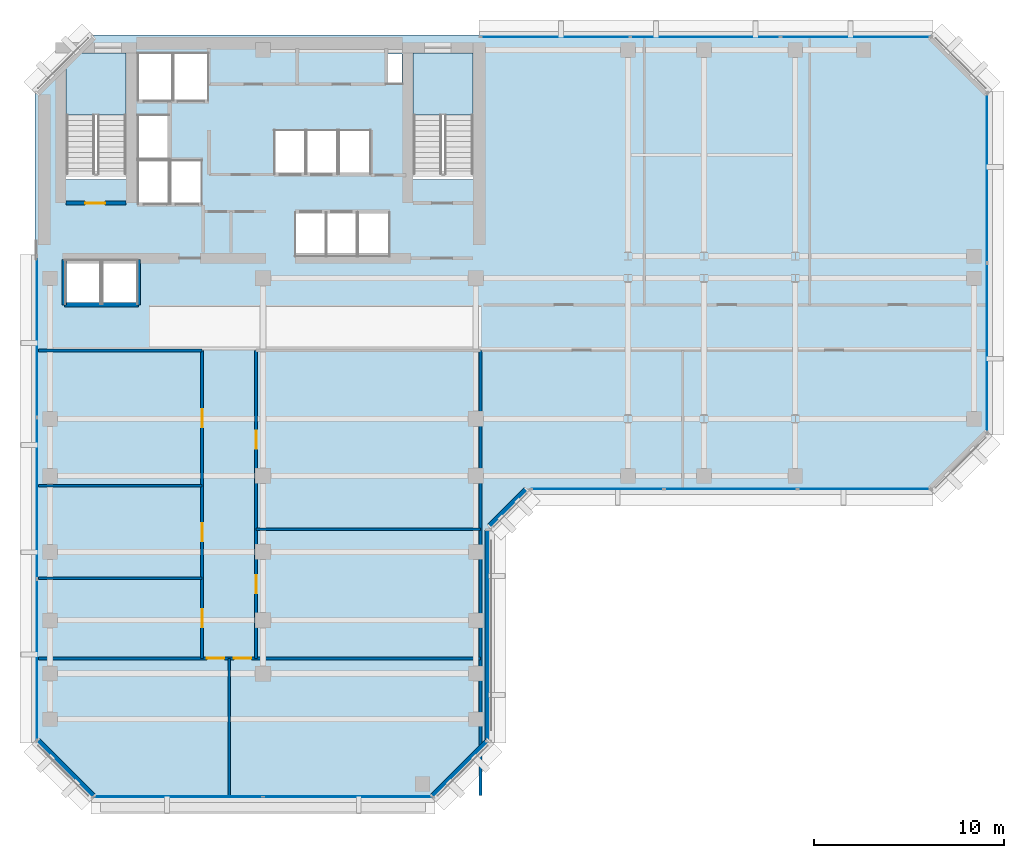
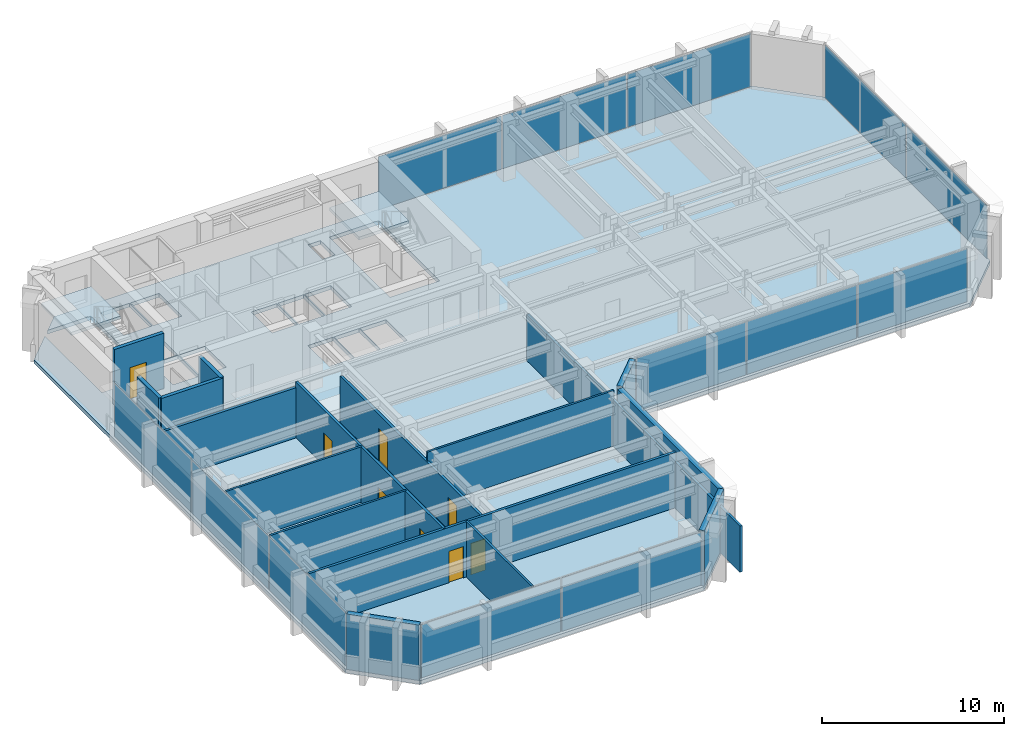
# One storey, part 6 of 12: 17 walls, 13 plates, 8 doors, 3 slabs, 8 openings, 7 elements without a shape of their own.
"""IFC4 building model written with IfcOpenShell, lengths in metres."""

from ifc_helpers import new_model, si_unit, direction, frame, frame_2d, origin, origin_2d, place, context, subcontext, project, spatial, polyline, rectangle, outline, extrude, material, layer, layer_set, type_object, element, fill, aggregate, save


model = new_model("IFC4")

# Units and contexts
model_context = context("Model", 3, precision=1e-05, world=origin(), true_north=direction((0.0, 1.0)))
body_context = subcontext(model_context, "Body", "Model", "MODEL_VIEW")
ifc_project = project(units=[si_unit("LENGTHUNIT", "METRE"), si_unit("AREAUNIT", "SQUARE_METRE"), si_unit("VOLUMEUNIT", "CUBIC_METRE"), si_unit("PLANEANGLEUNIT", "RADIAN"), si_unit("MASSUNIT", "GRAM", prefix="KILO")], contexts=[model_context])

# Site, building, storey
site_placement = place(None, origin())
site = spatial("IfcSite", under=ifc_project, at=site_placement, CompositionType="ELEMENT")
building_placement = place(site_placement, origin())
building = spatial("IfcBuilding", under=site, at=building_placement, Name="Kefirva Bronze Tower", CompositionType="ELEMENT")
storey_placement = place(building_placement, frame((0.0, 0.0, 207.239990234375)))
storey = spatial("IfcBuildingStorey", under=building, at=storey_placement, Name="L50", CompositionType="ELEMENT", Elevation=207.239990234375)

# Stair, slab
ifc_material_1 = material(Name="Concrete C40/50", Category="concrete")
stair_type = type_object("IfcStairType", Name="RC Dogleg Protected Stair 24R", PredefinedType="HALF_TURN_STAIR", material=ifc_material_1)
stair_1_placement = place(storey_placement, origin())
stair_1 = element("IfcStair", 1, at=stair_1_placement, inside=storey, type_object=stair_type, Name="L50 Protected Exit Stair 1", PredefinedType="HALF_TURN_STAIR")
ifc_layer_1 = layer(ifc_material_1, 0.199951171875, Name="Concrete C40/50")
ifc_layer_set_1 = layer_set([ifc_layer_1], Name="Concrete C40/50")
slab_type_1 = type_object("IfcSlabType", Name="RC Stair Landing Slab 200mm", PredefinedType="LANDING", material=ifc_layer_set_1)
slab_1_placement = place(storey_placement, frame((0.0, 0.0, 1.780029296875)))
slab_1 = element("IfcSlab", 2, at=slab_1_placement, type_object=slab_type_1, Name="ST-1 landing 1", PredefinedType="LANDING", context=body_context, shape_type="SweptSolid", body=[
    extrude(outline(polyline([(4.800048828125, 41.780029296875), (4.800048828125, 45.050048828125), (1.64990234375, 45.050048828125), (1.64990234375, 41.780029296875), (4.800048828125, 41.780029296875)])), origin(), (0.0, 0.0, 1.0), 0.199951171875),
])
aggregate(stair_1, [slab_1])

stair_2_placement = place(storey_placement, origin())
stair_2 = element("IfcStair", 3, at=stair_2_placement, inside=storey, type_object=stair_type, Name="L50 Protected Exit Stair 2", PredefinedType="HALF_TURN_STAIR")
slab_2_placement = place(storey_placement, frame((0.0, 0.0, 1.780029296875)))
slab_2 = element("IfcSlab", 4, at=slab_2_placement, type_object=slab_type_1, Name="ST-2 landing 1", PredefinedType="LANDING", context=body_context, shape_type="SweptSolid", body=[
    extrude(outline(polyline([(23.050048828125, 41.780029296875), (23.050048828125, 45.050048828125), (19.89990234375, 45.050048828125), (19.89990234375, 41.780029296875), (23.050048828125, 41.780029296875)])), origin(), (0.0, 0.0, 1.0), 0.199951171875),
])
aggregate(stair_2, [slab_2])

# Slab
ifc_layer_2 = layer(ifc_material_1, 0.25, Name="Concrete C40/50")
ifc_layer_set_2 = layer_set([ifc_layer_2], Name="Concrete C40/50")
slab_type_2 = type_object("IfcSlabType", Name="RC Tower Floor Slab 250mm", PredefinedType="FLOOR", material=ifc_layer_set_2)
slab_3_placement = place(storey_placement, frame((0.0, 0.0, -0.25)))
element("IfcSlab", 5, at=slab_3_placement, inside=storey, type_object=slab_type_2, Name="L50 Structural Floor Slab", PredefinedType="FLOOR", context=body_context, shape_type="SweptSolid", body=[
    extrude(outline(polyline([(0.0, 8.800048828125), (0.0, 43.0), (1.64990234375, 44.64990234375), (1.64990234375, 38.39990234375), (4.800048828125, 38.39990234375), (4.800048828125, 45.050048828125), (2.050048828125, 45.050048828125), (3.0, 46.0), (47.199951171875, 46.0), (50.199951171875, 43.0), (50.199951171875, 25.0), (47.199951171875, 22.0), (26.0, 22.0), (24.0, 20.0), (24.0, 8.800048828125), (21.0, 5.800048828125), (3.0, 5.800048828125), (0.0, 8.800048828125)]), holes=[polyline([(23.050048828125, 38.39990234375), (23.050048828125, 45.050048828125), (19.89990234375, 45.050048828125), (19.89990234375, 38.39990234375), (23.050048828125, 38.39990234375)]), polyline([(19.320068359375, 43.419921875), (19.320068359375, 45.0), (18.52001953125, 45.0), (18.52001953125, 43.419921875), (19.320068359375, 43.419921875)]), polyline([(18.64990234375, 34.35009765625), (18.64990234375, 36.64990234375), (17.0, 36.64990234375), (17.0, 34.35009765625), (18.64990234375, 34.35009765625)]), polyline([(17.64990234375, 38.679931640625), (17.64990234375, 40.97998046875), (16.0, 40.97998046875), (16.0, 38.679931640625), (17.64990234375, 38.679931640625)]), polyline([(16.949951171875, 34.35009765625), (16.949951171875, 36.64990234375), (15.35009765625, 36.64990234375), (15.35009765625, 34.35009765625), (16.949951171875, 34.35009765625)]), polyline([(15.929931640625, 38.679931640625), (15.929931640625, 40.97998046875), (14.300048828125, 40.97998046875), (14.300048828125, 38.679931640625), (15.929931640625, 38.679931640625)]), polyline([(15.300048828125, 34.35009765625), (15.300048828125, 36.64990234375), (13.699951171875, 36.64990234375), (13.699951171875, 34.35009765625), (15.300048828125, 34.35009765625)]), polyline([(14.22998046875, 38.679931640625), (14.22998046875, 40.97998046875), (12.60009765625, 40.97998046875), (12.60009765625, 38.679931640625), (14.22998046875, 38.679931640625)]), polyline([(9.1201171875, 42.550048828125), (9.1201171875, 45.050048828125), (7.300048828125, 45.050048828125), (7.300048828125, 42.550048828125), (9.1201171875, 42.550048828125)]), polyline([(8.780029296875, 37.10009765625), (8.780029296875, 39.39990234375), (7.139892578125, 39.39990234375), (7.139892578125, 37.10009765625), (8.780029296875, 37.10009765625)]), polyline([(7.239990234375, 42.550048828125), (7.239990234375, 45.050048828125), (5.419921875, 45.050048828125), (5.419921875, 42.550048828125), (7.239990234375, 42.550048828125)]), polyline([(7.06005859375, 37.10009765625), (7.06005859375, 39.39990234375), (5.419921875, 39.39990234375), (5.419921875, 37.10009765625), (7.06005859375, 37.10009765625)]), polyline([(7.06005859375, 39.47998046875), (7.06005859375, 41.780029296875), (5.419921875, 41.780029296875), (5.419921875, 39.47998046875), (7.06005859375, 39.47998046875)]), polyline([(5.39990234375, 31.85009765625), (5.39990234375, 34.14990234375), (3.550048828125, 34.14990234375), (3.550048828125, 31.85009765625), (5.39990234375, 31.85009765625)]), polyline([(3.449951171875, 31.85009765625), (3.449951171875, 34.14990234375), (1.60009765625, 34.14990234375), (1.60009765625, 31.85009765625), (3.449951171875, 31.85009765625)])]), origin(), (0.0, 0.0, 1.0), 0.25),
])

# Curtain wall, plates
ifc_material_2 = material(Name="Bronze anodised aluminium", Category="aluminium")
ifc_layer_3 = layer(ifc_material_2, 0.179931640625, Name="Bronze anodised aluminium")
ifc_layer_set_3 = layer_set([ifc_layer_3], Name="Bronze anodised aluminium")
curtain_wall_type = type_object("IfcCurtainWallType", Name="Unitised Bronze Ribbon Curtain Wall Zone 3", PredefinedType="USERDEFINED", material=ifc_layer_set_3)
curtain_wall_1_placement = place(storey_placement, origin())
curtain_wall_1 = element("IfcCurtainWall", 6, at=curtain_wall_1_placement, inside=storey, type_object=curtain_wall_type, Name="L50 Curtain Wall 1", ObjectType="UNITISED CURTAIN WALL", PredefinedType="USERDEFINED")
ifc_material_3 = material(Name="Laminated low-E double glazing", Category="glass")
ifc_layer_4 = layer(ifc_material_3, 0.031982421875, Name="Laminated low-E double glazing")
ifc_layer_set_4 = layer_set([ifc_layer_4], Name="Laminated low-E double glazing")
plate_type = type_object("IfcPlateType", Name="Solar-Control Low-E Vision Panel 32mm", PredefinedType="CURTAIN_PANEL", material=ifc_layer_set_4)
plate_1_placement = place(storey_placement, frame((7.546142578125, 5.919921875, 0.074951171875), z_axis=(0.0, 0.0, 1.0), x_axis=(1.0, 0.0, 0.0)))
plate_1 = element("IfcPlate", 7, at=plate_1_placement, type_object=plate_type, Name="CW-03 panel 1.1", PredefinedType="CURTAIN_PANEL", context=body_context, shape_type="SweptSolid", body=[
    extrude(rectangle(XDim=8.83251953125, YDim=0.031982421875, at=origin_2d()), origin(), (0.0, 0.0, 1.0), 3.56005859375),
])
plate_2_placement = place(storey_placement, frame((16.453857421875, 5.919921875, 0.074951171875), z_axis=(0.0, 0.0, 1.0), x_axis=(1.0, 0.0, 0.0)))
plate_2 = element("IfcPlate", 8, at=plate_2_placement, type_object=plate_type, Name="CW-03 panel 2.1", PredefinedType="CURTAIN_PANEL", context=body_context, shape_type="SweptSolid", body=[
    extrude(rectangle(XDim=8.83251953125, YDim=0.031982421875, at=origin_2d()), origin(), (0.0, 0.0, 1.0), 3.56005859375),
])
aggregate(curtain_wall_1, [plate_1, plate_2])

curtain_wall_2_placement = place(storey_placement, origin())
curtain_wall_2 = element("IfcCurtainWall", 9, at=curtain_wall_2_placement, inside=storey, type_object=curtain_wall_type, Name="L50 Curtain Wall 2", ObjectType="UNITISED CURTAIN WALL", PredefinedType="USERDEFINED")
plate_3_placement = place(storey_placement, frame((29.5888671875, 22.1201171875, 0.074951171875), z_axis=(0.0, 0.0, 1.0), x_axis=(1.0, 0.0, 0.0)))
plate_3 = element("IfcPlate", 10, at=plate_3_placement, type_object=plate_type, Name="CW-03 panel 1.1", PredefinedType="CURTAIN_PANEL", context=body_context, shape_type="SweptSolid", body=[
    extrude(rectangle(XDim=6.91748046875, YDim=0.031982421875, at=origin_2d()), origin(), (0.0, 0.0, 1.0), 3.56005859375),
])
plate_4_placement = place(storey_placement, frame((36.60009765625, 22.1201171875, 0.074951171875), z_axis=(0.0, 0.0, 1.0), x_axis=(1.0, 0.0, 0.0)))
plate_4 = element("IfcPlate", 11, at=plate_4_placement, type_object=plate_type, Name="CW-03 panel 2.1", PredefinedType="CURTAIN_PANEL", context=body_context, shape_type="SweptSolid", body=[
    extrude(rectangle(XDim=6.955078125, YDim=0.031982421875, at=origin_2d()), origin(), (0.0, 0.0, 1.0), 3.56005859375),
])
plate_5_placement = place(storey_placement, frame((43.611328125, 22.1201171875, 0.074951171875), z_axis=(0.0, 0.0, 1.0), x_axis=(1.0, 0.0, 0.0)))
plate_5 = element("IfcPlate", 12, at=plate_5_placement, type_object=plate_type, Name="CW-03 panel 3.1", PredefinedType="CURTAIN_PANEL", context=body_context, shape_type="SweptSolid", body=[
    extrude(rectangle(XDim=6.91748046875, YDim=0.031982421875, at=origin_2d()), origin(), (0.0, 0.0, 1.0), 3.56005859375),
])
aggregate(curtain_wall_2, [plate_3, plate_4, plate_5])

curtain_wall_3_placement = place(storey_placement, origin())
curtain_wall_3 = element("IfcCurtainWall", 13, at=curtain_wall_3_placement, inside=storey, type_object=curtain_wall_type, Name="L50 Curtain Wall 3", ObjectType="UNITISED CURTAIN WALL", PredefinedType="USERDEFINED")
plate_6_placement = place(storey_placement, frame((50.080078125, 29.546142578125, 0.074951171875), z_axis=(0.0, 0.0, 1.0), x_axis=(0.0, 1.0, 0.0)))
plate_6 = element("IfcPlate", 14, at=plate_6_placement, type_object=plate_type, Name="CW-03 panel 1.1", PredefinedType="CURTAIN_PANEL", context=body_context, shape_type="SweptSolid", body=[
    extrude(rectangle(XDim=8.83251953125, YDim=0.031982421875, at=origin_2d()), origin(), (0.0, 0.0, 1.0), 3.56005859375),
])
plate_7_placement = place(storey_placement, frame((50.080078125, 38.453857421875, 0.074951171875), z_axis=(0.0, 0.0, 1.0), x_axis=(0.0, 1.0, 0.0)))
plate_7 = element("IfcPlate", 15, at=plate_7_placement, type_object=plate_type, Name="CW-03 panel 2.1", PredefinedType="CURTAIN_PANEL", context=body_context, shape_type="SweptSolid", body=[
    extrude(rectangle(XDim=8.83251953125, YDim=0.031982421875, at=origin_2d()), origin(), (0.0, 0.0, 1.0), 3.56005859375),
])
aggregate(curtain_wall_3, [plate_6, plate_7])

curtain_wall_4_placement = place(storey_placement, origin())
curtain_wall_4 = element("IfcCurtainWall", 16, at=curtain_wall_4_placement, inside=storey, type_object=curtain_wall_type, Name="L50 Curtain Wall 4", ObjectType="UNITISED CURTAIN WALL", PredefinedType="USERDEFINED")
plate_8_placement = place(storey_placement, frame((43.169677734375, 45.8798828125, 0.074951171875), z_axis=(0.0, 0.0, 1.0), x_axis=(-1.0, 0.0, 0.0)))
plate_8 = element("IfcPlate", 17, at=plate_8_placement, type_object=plate_type, Name="CW-03 panel 1.1", PredefinedType="CURTAIN_PANEL", context=body_context, shape_type="SweptSolid", body=[
    extrude(rectangle(XDim=7.80078125, YDim=0.031982421875, at=origin_2d()), origin(), (0.0, 0.0, 1.0), 3.56005859375),
])
plate_9_placement = place(storey_placement, frame((35.27490234375, 45.8798828125, 0.074951171875), z_axis=(0.0, 0.0, 1.0), x_axis=(-1.0, 0.0, 0.0)))
plate_9 = element("IfcPlate", 18, at=plate_9_placement, type_object=plate_type, Name="CW-03 panel 2.1", PredefinedType="CURTAIN_PANEL", context=body_context, shape_type="SweptSolid", body=[
    extrude(rectangle(XDim=7.83837890625, YDim=0.031982421875, at=origin_2d()), origin(), (0.0, 0.0, 1.0), 3.56005859375),
])
plate_10_placement = place(storey_placement, frame((27.38037109375, 45.8798828125, 0.074951171875), z_axis=(0.0, 0.0, 1.0), x_axis=(-1.0, 0.0, 0.0)))
plate_10 = element("IfcPlate", 19, at=plate_10_placement, type_object=plate_type, Name="CW-03 panel 3.1", PredefinedType="CURTAIN_PANEL", context=body_context, shape_type="SweptSolid", body=[
    extrude(rectangle(XDim=7.80078125, YDim=0.031982421875, at=origin_2d()), origin(), (0.0, 0.0, 1.0), 3.56005859375),
])
aggregate(curtain_wall_4, [plate_8, plate_9, plate_10])

curtain_wall_5_placement = place(storey_placement, origin())
curtain_wall_5 = element("IfcCurtainWall", 20, at=curtain_wall_5_placement, inside=storey, type_object=curtain_wall_type, Name="L50 Curtain Wall 5", ObjectType="UNITISED CURTAIN WALL", PredefinedType="USERDEFINED")
plate_11_placement = place(storey_placement, frame((0.1201171875, 30.11962890625, 0.074951171875), z_axis=(0.0, 0.0, 1.0), x_axis=(0.0, -1.0, 0.0)))
plate_11 = element("IfcPlate", 21, at=plate_11_placement, type_object=plate_type, Name="CW-03 panel 1.1", PredefinedType="CURTAIN_PANEL", context=body_context, shape_type="SweptSolid", body=[
    extrude(rectangle(XDim=8.40087890625, YDim=0.031982421875, at=origin_2d()), origin(), (0.0, 0.0, 1.0), 3.56005859375),
])
plate_12_placement = place(storey_placement, frame((0.1201171875, 21.625, 0.074951171875), z_axis=(0.0, 0.0, 1.0), x_axis=(0.0, -1.0, 0.0)))
plate_12 = element("IfcPlate", 22, at=plate_12_placement, type_object=plate_type, Name="CW-03 panel 2.1", PredefinedType="CURTAIN_PANEL", context=body_context, shape_type="SweptSolid", body=[
    extrude(rectangle(XDim=8.438232421875, YDim=0.031982421875, at=origin_2d()), origin(), (0.0, 0.0, 1.0), 3.56005859375),
])
plate_13_placement = place(storey_placement, frame((0.1201171875, 13.13037109375, 0.074951171875), z_axis=(0.0, 0.0, 1.0), x_axis=(0.0, -1.0, 0.0)))
plate_13 = element("IfcPlate", 23, at=plate_13_placement, type_object=plate_type, Name="CW-03 panel 3.1", PredefinedType="CURTAIN_PANEL", context=body_context, shape_type="SweptSolid", body=[
    extrude(rectangle(XDim=8.40087890625, YDim=0.031982421875, at=origin_2d()), origin(), (0.0, 0.0, 1.0), 3.56005859375),
])
aggregate(curtain_wall_5, [plate_11, plate_12, plate_13])

# Walls
ifc_material_4 = material(Name="Gypsum acoustic partition")
ifc_layer_5 = layer(ifc_material_4, 0.1298828125, Name="Gypsum acoustic partition")
ifc_layer_set_5 = layer_set([ifc_layer_5], Name="Gypsum acoustic partition")
wall_type_1 = type_object("IfcWallType", Name="Acoustic Office Partition 130mm", PredefinedType="PARTITIONING", material=ifc_layer_set_5)
wall_1_placement = place(storey_placement, frame((10.219970703125, 5.989990234375, 0.0), z_axis=(0.0, 0.0, 1.0), x_axis=(0.0, 1.0, 0.0)))
element("IfcWall", 24, at=wall_1_placement, inside=storey, type_object=wall_type_1, Name="L50 Partition W-L50-CAPDV", PredefinedType="PARTITIONING", context=body_context, shape_type="SweptSolid", body=[
    extrude(rectangle(XDim=7.2099609375, YDim=0.1298828125, at=frame_2d((3.60498046875, 0.0))), origin(), (0.0, 0.0, 1.0), 3.7099609375),
])
for number, where, z_axis, x_axis, name in (
    (25, (0.18994140625, 17.412109375, 0.0), (0.0, 0.0, 1.0), (1.0, 0.0, 0.0), "L50 Partition W-L50-SWD1"),
    (26, (0.18994140625, 22.27197265625, 0.0), (0.0, 0.0, 1.0), (1.0, 0.0, 0.0), "L50 Partition W-L50-SWD2"),
):
    element("IfcWall", number, at=place(storey_placement, frame(where, z_axis=z_axis, x_axis=x_axis)), inside=storey, type_object=wall_type_1, Name=name, PredefinedType="PARTITIONING", context=body_context, shape_type="SweptSolid", body=[
        extrude(rectangle(XDim=8.610107421875, YDim=0.1298828125, at=frame_2d((4.30517578125, 0.0))), origin(), (0.0, 0.0, 1.0), 3.7099609375),
    ])
wall_2_placement = place(storey_placement, frame((11.639892578125, 20.00390625, 0.0), z_axis=(0.0, 0.0, 1.0), x_axis=(1.0, 0.0, 0.0)))
element("IfcWall", 27, at=wall_2_placement, inside=storey, type_object=wall_type_1, Name="L50 Partition W-L50-SED1", PredefinedType="PARTITIONING", context=body_context, shape_type="SweptSolid", body=[
    extrude(rectangle(XDim=11.81005859375, YDim=0.1298828125, at=frame_2d((5.905029296875, 0.0))), origin(), (0.0, 0.0, 1.0), 3.7099609375),
])

# Wall, opening, door
ifc_material_5 = material(Name="Gypsum fireboard shaftwall")
ifc_layer_6 = layer(ifc_material_5, 0.219970703125, Name="Gypsum fireboard shaftwall")
ifc_layer_set_6 = layer_set([ifc_layer_6], Name="Gypsum fireboard shaftwall")
wall_type_2 = type_object("IfcWallType", Name="Fire-Rated Shaft Enclosure Wall 220mm", PredefinedType="PARTITIONING", material=ifc_layer_set_6)
wall_3_placement = place(storey_placement, frame((1.64990234375, 37.14990234375, 0.0), z_axis=(0.0, 0.0, 1.0), x_axis=(1.0, 0.0, 0.0)))
wall_3 = element("IfcWall", 28, at=wall_3_placement, inside=storey, type_object=wall_type_2, Name="L50 Partition W-L50-ST1S", PredefinedType="PARTITIONING", context=body_context, shape_type="SweptSolid", body=[
    extrude(rectangle(XDim=3.150146484375, YDim=0.219970703125, at=frame_2d((1.5751953125, 0.0))), origin(), (0.0, 0.0, 1.0), 3.7099609375),
])
opening_1_placement = place(wall_3_placement, frame((2.050048828125, 0.0, 0.0), z_axis=(0.0, 0.0, 1.0), x_axis=(-1.0, 0.0, 0.0)))
opening_1 = element("IfcOpeningElement", 29, at=opening_1_placement, cuts=wall_3, Name="Opening L50-D001", PredefinedType="OPENING", context=body_context, shape_type="SweptSolid", body=[
    extrude(rectangle(XDim=1.050048828125, YDim=2.14990234375, at=frame_2d((0.52490234375, 1.074951171875))), frame((0.0, 0.1201171875, 0.0), z_axis=(0.0, -1.0, 0.0), x_axis=(1.0, 0.0, 0.0)), (0.0, 0.0, 1.0), 0.239990234375),
])
ifc_material_6 = material(Name="Painted galvanized steel", Category="steel")
door_type_1 = type_object("IfcDoorType", Name="Fire Stair Enclosure Door 1050x2150 FD90S", OperationType="NOTDEFINED", PredefinedType="DOOR", material=ifc_material_6)
door_1_placement = place(opening_1_placement, origin())
door_1 = element("IfcDoor", 30, at=door_1_placement, inside=storey, type_object=door_type_1, Name="Door L50-D001", OperationType="SINGLE_SWING_RIGHT", OverallHeight=2.14990234375, OverallWidth=1.050048828125, PredefinedType="DOOR", context=body_context, shape_type="SweptSolid", body=[
    extrude(rectangle(XDim=1.050048828125, YDim=2.14990234375, at=frame_2d((0.52490234375, 1.074951171875))), frame((0.0, 0.02490234375, 0.0), z_axis=(0.0, -1.0, 0.0), x_axis=(1.0, 0.0, 0.0)), (0.0, 0.0, 1.0), 0.050048828125),
])
fill(opening_1, door_1)

# Walls
wall_4_placement = place(storey_placement, frame((1.550048828125, 31.800048828125, 0.0), z_axis=(0.0, 0.0, 1.0), x_axis=(1.0, 0.0, 0.0)))
element("IfcWall", 31, at=wall_4_placement, inside=storey, type_object=wall_type_2, Name="L50 Partition W-L50-OBS", PredefinedType="PARTITIONING", context=body_context, shape_type="SweptSolid", body=[
    extrude(rectangle(XDim=3.89990234375, YDim=0.219970703125, at=frame_2d((1.949951171875, 0.0))), origin(), (0.0, 0.0, 1.0), 3.7099609375),
])
for number, where, z_axis, x_axis, name in (
    (32, (1.550048828125, 31.800048828125, 0.0), (0.0, 0.0, 1.0), (0.0, 1.0, 0.0), "L50 Partition W-L50-OBW"),
    (33, (5.449951171875, 31.800048828125, 0.0), (0.0, 0.0, 1.0), (0.0, 1.0, 0.0), "L50 Partition W-L50-OBE"),
):
    element("IfcWall", number, at=place(storey_placement, frame(where, z_axis=z_axis, x_axis=x_axis)), inside=storey, type_object=wall_type_2, Name=name, PredefinedType="PARTITIONING", context=body_context, shape_type="SweptSolid", body=[
        extrude(rectangle(XDim=2.3798828125, YDim=0.219970703125, at=frame_2d((1.18994140625, 0.0))), origin(), (0.0, 0.0, 1.0), 3.7099609375),
    ])
ifc_material_7 = material(Name="Precast concrete C40/50", Category="concrete")
ifc_layer_7 = layer(ifc_material_7, 0.320068359375, Name="Precast concrete C40/50")
ifc_layer_set_7 = layer_set([ifc_layer_7], Name="Precast concrete C40/50")
wall_type_3 = type_object("IfcWallType", Name="Precast Insulated Exterior Wall 320mm", PredefinedType="SOLIDWALL", material=ifc_layer_set_7)
wall_5_placement = place(storey_placement, frame((20.92578125, 5.951904296875, 0.0), z_axis=(0.0, 0.0, 1.0), x_axis=(0.707077242712, 0.707136318428, 0.0)))
element("IfcWall", 34, at=wall_5_placement, inside=storey, type_object=wall_type_3, Name="L50 Exterior Facade Wall 1", PredefinedType="SOLIDWALL", context=body_context, shape_type="SweptSolid", body=[
    extrude(rectangle(XDim=4.132568359375, YDim=0.320068359375, at=frame_2d((2.06640625, 0.0))), origin(), (0.0, 0.0, 1.0), 3.7099609375),
])
wall_6_placement = place(storey_placement, frame((23.840087890625, 8.85498046875, 0.0), z_axis=(0.0, 0.0, 1.0), x_axis=(0.0, 1.0, 0.0)))
element("IfcWall", 35, at=wall_6_placement, inside=storey, type_object=wall_type_3, Name="L50 Exterior Facade Wall 2", PredefinedType="SOLIDWALL", context=body_context, shape_type="SweptSolid", body=[
    extrude(rectangle(XDim=11.090087890625, YDim=0.320068359375, at=frame_2d((5.544921875, 0.0))), origin(), (0.0, 0.0, 1.0), 3.7099609375),
])
wall_7_placement = place(storey_placement, frame((23.92578125, 20.152099609375, 0.0), z_axis=(0.0, 0.0, 1.0), x_axis=(0.707106781187, 0.707106781187, 0.0)))
element("IfcWall", 36, at=wall_7_placement, inside=storey, type_object=wall_type_3, Name="L50 Exterior Facade Wall 3", PredefinedType="SOLIDWALL", context=body_context, shape_type="SweptSolid", body=[
    extrude(rectangle(XDim=2.71826171875, YDim=0.320068359375, at=frame_2d((1.359130859375, 0.0))), origin(), (0.0, 0.0, 1.0), 3.7099609375),
])
wall_8_placement = place(storey_placement, frame((0.152099609375, 8.874267578125, 0.0), z_axis=(0.0, 0.0, 1.0), x_axis=(0.707077242712, -0.707136318428, 0.0)))
element("IfcWall", 37, at=wall_8_placement, inside=storey, type_object=wall_type_3, Name="L50 Exterior Facade Wall 7", PredefinedType="SOLIDWALL", context=body_context, shape_type="SweptSolid", body=[
    extrude(rectangle(XDim=4.132568359375, YDim=0.320068359375, at=frame_2d((2.06640625, 0.0))), origin(), (0.0, 0.0, 1.0), 3.7099609375),
])

# Wall, openings, doors
ifc_layer_8 = layer(ifc_material_4, 0.159912109375, Name="Gypsum acoustic partition")
ifc_layer_set_8 = layer_set([ifc_layer_8], Name="Gypsum acoustic partition")
wall_type_4 = type_object("IfcWallType", Name="Protected Corridor Partition 160mm", PredefinedType="PARTITIONING", material=ifc_layer_set_8)
wall_9_placement = place(storey_placement, frame((8.800048828125, 13.199951171875, 0.0), z_axis=(0.0, 0.0, 1.0), x_axis=(0.0, 1.0, 0.0)))
wall_9 = element("IfcWall", 38, at=wall_9_placement, inside=storey, type_object=wall_type_4, Name="L50 Partition W-L50-SWCORW", PredefinedType="PARTITIONING", context=body_context, shape_type="SweptSolid", body=[
    extrude(rectangle(XDim=16.199951171875, YDim=0.159912109375, at=frame_2d((8.10009765625, 0.0))), origin(), (0.0, 0.0, 1.0), 3.7099609375),
])
opening_2_placement = place(wall_9_placement, frame((2.5810546875, 0.0, 0.0), z_axis=(0.0, 0.0, 1.0), x_axis=(-1.0, 0.0, 0.0)))
opening_2 = element("IfcOpeningElement", 39, at=opening_2_placement, cuts=wall_9, Name="Opening L50-D-SW1", PredefinedType="OPENING", context=body_context, shape_type="SweptSolid", body=[
    extrude(rectangle(XDim=0.949951171875, YDim=2.14990234375, at=frame_2d((0.47509765625, 1.074951171875))), frame((0.0, 0.08984375, 0.0), z_axis=(0.0, -1.0, 0.0), x_axis=(1.0, 0.0, 0.0)), (0.0, 0.0, 1.0), 0.179931640625),
])
opening_3_placement = place(wall_9_placement, frame((7.116943359375, 0.0, 0.0), z_axis=(0.0, 0.0, 1.0), x_axis=(-1.0, 0.0, 0.0)))
opening_3 = element("IfcOpeningElement", 40, at=opening_3_placement, cuts=wall_9, Name="Opening L50-D-SW2", PredefinedType="OPENING", context=body_context, shape_type="SweptSolid", body=[
    extrude(rectangle(XDim=0.949951171875, YDim=2.14990234375, at=frame_2d((0.47509765625, 1.074951171875))), frame((0.0, 0.08984375, 0.0), z_axis=(0.0, -1.0, 0.0), x_axis=(1.0, 0.0, 0.0)), (0.0, 0.0, 1.0), 0.179931640625),
])
opening_4_placement = place(wall_9_placement, frame((13.11083984375, 0.0, 0.0), z_axis=(0.0, 0.0, 1.0), x_axis=(-1.0, 0.0, 0.0)))
opening_4 = element("IfcOpeningElement", 41, at=opening_4_placement, cuts=wall_9, Name="Opening L50-D-SW3", PredefinedType="OPENING", context=body_context, shape_type="SweptSolid", body=[
    extrude(rectangle(XDim=0.949951171875, YDim=2.14990234375, at=frame_2d((0.47509765625, 1.074951171875))), frame((0.0, 0.08984375, 0.0), z_axis=(0.0, -1.0, 0.0), x_axis=(1.0, 0.0, 0.0)), (0.0, 0.0, 1.0), 0.179931640625),
])
ifc_material_8 = material(Name="Acoustic hardwood oak", Category="wood")
door_type_2 = type_object("IfcDoorType", Name="Office & Meeting Room Door 950x2150", OperationType="NOTDEFINED", PredefinedType="DOOR", material=ifc_material_8)
door_2_placement = place(opening_2_placement, origin())
door_2 = element("IfcDoor", 42, at=door_2_placement, inside=storey, type_object=door_type_2, Name="Door L50-D-SW1", OperationType="SINGLE_SWING_RIGHT", OverallHeight=2.14990234375, OverallWidth=0.949951171875, PredefinedType="DOOR", context=body_context, shape_type="SweptSolid", body=[
    extrude(rectangle(XDim=0.949951171875, YDim=2.14990234375, at=frame_2d((0.47509765625, 1.074951171875))), frame((0.0, 0.02490234375, 0.0), z_axis=(0.0, -1.0, 0.0), x_axis=(1.0, 0.0, 0.0)), (0.0, 0.0, 1.0), 0.050048828125),
])
fill(opening_2, door_2)
door_3_placement = place(opening_3_placement, origin())
door_3 = element("IfcDoor", 43, at=door_3_placement, inside=storey, type_object=door_type_2, Name="Door L50-D-SW2", OperationType="SINGLE_SWING_LEFT", OverallHeight=2.14990234375, OverallWidth=0.949951171875, PredefinedType="DOOR", context=body_context, shape_type="SweptSolid", body=[
    extrude(rectangle(XDim=0.949951171875, YDim=2.14990234375, at=frame_2d((0.47509765625, 1.074951171875))), frame((0.0, 0.02490234375, 0.0), z_axis=(0.0, -1.0, 0.0), x_axis=(1.0, 0.0, 0.0)), (0.0, 0.0, 1.0), 0.050048828125),
])
fill(opening_3, door_3)
door_4_placement = place(opening_4_placement, origin())
door_4 = element("IfcDoor", 44, at=door_4_placement, inside=storey, type_object=door_type_2, Name="Door L50-D-SW3", OperationType="SINGLE_SWING_RIGHT", OverallHeight=2.14990234375, OverallWidth=0.949951171875, PredefinedType="DOOR", context=body_context, shape_type="SweptSolid", body=[
    extrude(rectangle(XDim=0.949951171875, YDim=2.14990234375, at=frame_2d((0.47509765625, 1.074951171875))), frame((0.0, 0.02490234375, 0.0), z_axis=(0.0, -1.0, 0.0), x_axis=(1.0, 0.0, 0.0)), (0.0, 0.0, 1.0), 0.050048828125),
])
fill(opening_4, door_4)

wall_10_placement = place(storey_placement, frame((11.639892578125, 13.199951171875, 0.0), z_axis=(0.0, 0.0, 1.0), x_axis=(0.0, 1.0, 0.0)))
wall_10 = element("IfcWall", 45, at=wall_10_placement, inside=storey, type_object=wall_type_4, Name="L50 Partition W-L50-SECORE", PredefinedType="PARTITIONING", context=body_context, shape_type="SweptSolid", body=[
    extrude(rectangle(XDim=16.199951171875, YDim=0.159912109375, at=frame_2d((8.10009765625, 0.0))), origin(), (0.0, 0.0, 1.0), 3.094970703125),
])
opening_5_placement = place(wall_10_placement, frame((3.427001953125, 0.0, 0.0)))
opening_5 = element("IfcOpeningElement", 46, at=opening_5_placement, cuts=wall_10, Name="Opening L50-D-SE1", PredefinedType="OPENING", context=body_context, shape_type="SweptSolid", body=[
    extrude(rectangle(XDim=0.949951171875, YDim=2.14990234375, at=frame_2d((0.47509765625, 1.074951171875))), frame((0.0, 0.08984375, 0.0), z_axis=(0.0, -1.0, 0.0), x_axis=(1.0, 0.0, 0.0)), (0.0, 0.0, 1.0), 0.179931640625),
])
opening_6_placement = place(wall_10_placement, frame((11.027099609375, 0.0, 0.0)))
opening_6 = element("IfcOpeningElement", 47, at=opening_6_placement, cuts=wall_10, Name="Opening L50-D-SE2", PredefinedType="OPENING", context=body_context, shape_type="SweptSolid", body=[
    extrude(rectangle(XDim=0.949951171875, YDim=2.14990234375, at=frame_2d((0.47509765625, 1.074951171875))), frame((0.0, 0.08984375, 0.0), z_axis=(0.0, -1.0, 0.0), x_axis=(1.0, 0.0, 0.0)), (0.0, 0.0, 1.0), 0.179931640625),
])
door_5_placement = place(opening_5_placement, origin())
door_5 = element("IfcDoor", 48, at=door_5_placement, inside=storey, type_object=door_type_2, Name="Door L50-D-SE1", OperationType="SINGLE_SWING_LEFT", OverallHeight=2.14990234375, OverallWidth=0.949951171875, PredefinedType="DOOR", context=body_context, shape_type="SweptSolid", body=[
    extrude(rectangle(XDim=0.949951171875, YDim=2.14990234375, at=frame_2d((0.47509765625, 1.074951171875))), frame((0.0, 0.02490234375, 0.0), z_axis=(0.0, -1.0, 0.0), x_axis=(1.0, 0.0, 0.0)), (0.0, 0.0, 1.0), 0.050048828125),
])
fill(opening_5, door_5)
door_6_placement = place(opening_6_placement, origin())
door_6 = element("IfcDoor", 49, at=door_6_placement, inside=storey, type_object=door_type_2, Name="Door L50-D-SE2", OperationType="SINGLE_SWING_RIGHT", OverallHeight=2.14990234375, OverallWidth=0.949951171875, PredefinedType="DOOR", context=body_context, shape_type="SweptSolid", body=[
    extrude(rectangle(XDim=0.949951171875, YDim=2.14990234375, at=frame_2d((0.47509765625, 1.074951171875))), frame((0.0, 0.02490234375, 0.0), z_axis=(0.0, -1.0, 0.0), x_axis=(1.0, 0.0, 0.0)), (0.0, 0.0, 1.0), 0.050048828125),
])
fill(opening_6, door_6)

wall_11_placement = place(storey_placement, frame((0.18994140625, 13.199951171875, 0.0), z_axis=(0.0, 0.0, 1.0), x_axis=(1.0, 0.0, 0.0)))
wall_11 = element("IfcWall", 50, at=wall_11_placement, inside=storey, type_object=wall_type_4, Name="L50 Partition W-L50-SBEND", PredefinedType="PARTITIONING", context=body_context, shape_type="SweptSolid", body=[
    extrude(rectangle(XDim=23.260009765625, YDim=0.159912109375, at=frame_2d((11.6298828125, 0.0))), origin(), (0.0, 0.0, 1.0), 3.7099609375),
])
opening_7_placement = place(wall_11_placement, frame((8.860107421875, 0.0, 0.0)))
opening_7 = element("IfcOpeningElement", 51, at=opening_7_placement, cuts=wall_11, Name="Opening L50-D-SEND1", PredefinedType="OPENING", context=body_context, shape_type="SweptSolid", body=[
    extrude(rectangle(XDim=0.919921875, YDim=2.10009765625, at=frame_2d((0.4599609375, 1.050048828125))), frame((0.0, 0.08984375, 0.0), z_axis=(0.0, -1.0, 0.0), x_axis=(1.0, 0.0, 0.0)), (0.0, 0.0, 1.0), 0.179931640625),
])
opening_8_placement = place(wall_11_placement, frame((10.280029296875, 0.0, 0.0)))
opening_8 = element("IfcOpeningElement", 52, at=opening_8_placement, cuts=wall_11, Name="Opening L50-D-SEND2", PredefinedType="OPENING", context=body_context, shape_type="SweptSolid", body=[
    extrude(rectangle(XDim=0.919921875, YDim=2.10009765625, at=frame_2d((0.4599609375, 1.050048828125))), frame((0.0, 0.08984375, 0.0), z_axis=(0.0, -1.0, 0.0), x_axis=(1.0, 0.0, 0.0)), (0.0, 0.0, 1.0), 0.179931640625),
])
ifc_material_9 = material(Name="Moisture-resistant timber", Category="wood")
door_type_3 = type_object("IfcDoorType", Name="Accessible Sanitary & WC Door 920x2100", OperationType="NOTDEFINED", PredefinedType="DOOR", material=ifc_material_9)
door_7_placement = place(opening_7_placement, origin())
door_7 = element("IfcDoor", 53, at=door_7_placement, inside=storey, type_object=door_type_3, Name="Door L50-D-SEND1", OperationType="SINGLE_SWING_RIGHT", OverallHeight=2.10009765625, OverallWidth=0.919921875, PredefinedType="DOOR", context=body_context, shape_type="SweptSolid", body=[
    extrude(rectangle(XDim=0.919921875, YDim=2.10009765625, at=frame_2d((0.4599609375, 1.050048828125))), frame((0.0, 0.02490234375, 0.0), z_axis=(0.0, -1.0, 0.0), x_axis=(1.0, 0.0, 0.0)), (0.0, 0.0, 1.0), 0.050048828125),
])
fill(opening_7, door_7)
door_8_placement = place(opening_8_placement, origin())
door_8 = element("IfcDoor", 54, at=door_8_placement, inside=storey, type_object=door_type_3, Name="Door L50-D-SEND2", OperationType="SINGLE_SWING_LEFT", OverallHeight=2.10009765625, OverallWidth=0.919921875, PredefinedType="DOOR", context=body_context, shape_type="SweptSolid", body=[
    extrude(rectangle(XDim=0.919921875, YDim=2.10009765625, at=frame_2d((0.4599609375, 1.050048828125))), frame((0.0, 0.02490234375, 0.0), z_axis=(0.0, -1.0, 0.0), x_axis=(1.0, 0.0, 0.0)), (0.0, 0.0, 1.0), 0.050048828125),
])
fill(opening_8, door_8)

# Walls
wall_12_placement = place(storey_placement, frame((0.18994140625, 29.39990234375, 0.0), z_axis=(0.0, 0.0, 1.0), x_axis=(1.0, 0.0, 0.0)))
element("IfcWall", 55, at=wall_12_placement, inside=storey, type_object=wall_type_4, Name="L50 Partition W-L50-NWT", PredefinedType="PARTITIONING", context=body_context, shape_type="SweptSolid", body=[
    extrude(rectangle(XDim=8.610107421875, YDim=0.159912109375, at=frame_2d((4.30517578125, 0.0))), origin(), (0.0, 0.0, 1.0), 3.364990234375),
])
wall_13_placement = place(storey_placement, frame((23.449951171875, 5.989990234375, 0.0), z_axis=(0.0, 0.0, 1.0), x_axis=(0.0, 1.0, 0.0)))
element("IfcWall", 56, at=wall_13_placement, inside=storey, type_object=wall_type_4, Name="L50 Partition W-L50-SWEAST", PredefinedType="PARTITIONING", context=body_context, shape_type="SweptSolid", body=[
    extrude(rectangle(XDim=23.409912109375, YDim=0.159912109375, at=frame_2d((11.705078125, 0.0))), origin(), (0.0, 0.0, 1.0), 3.094970703125),
])

save(model, "model.ifc")
